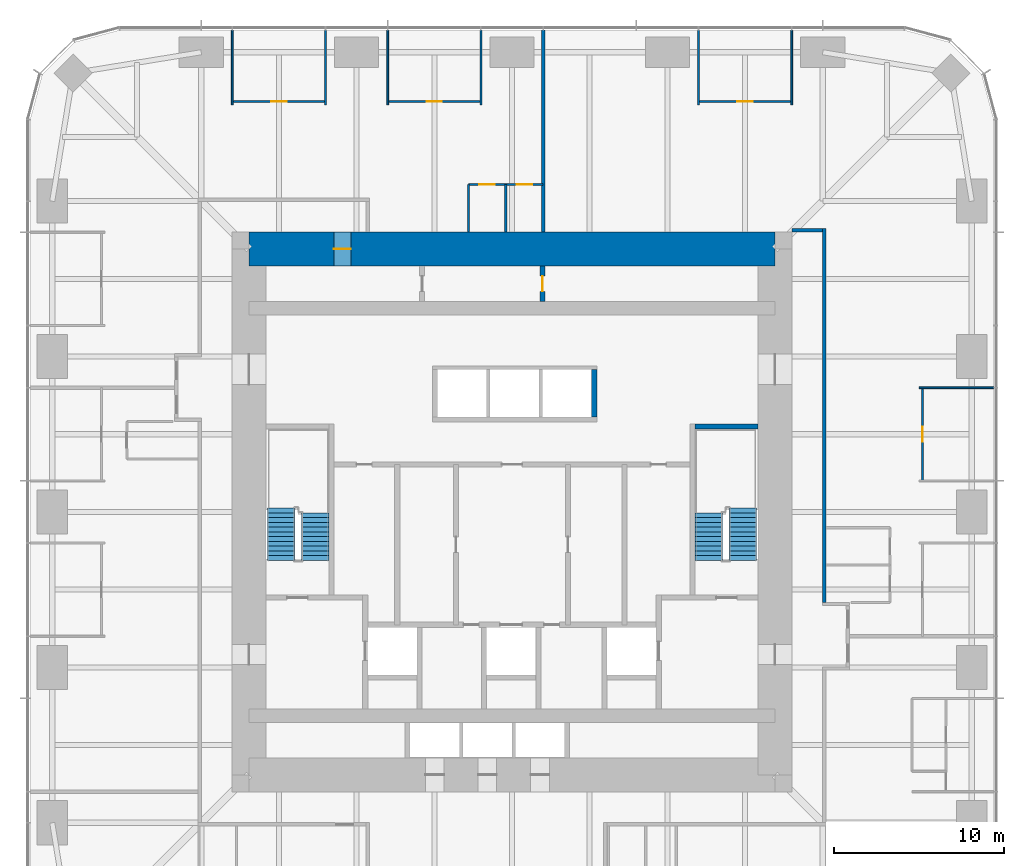
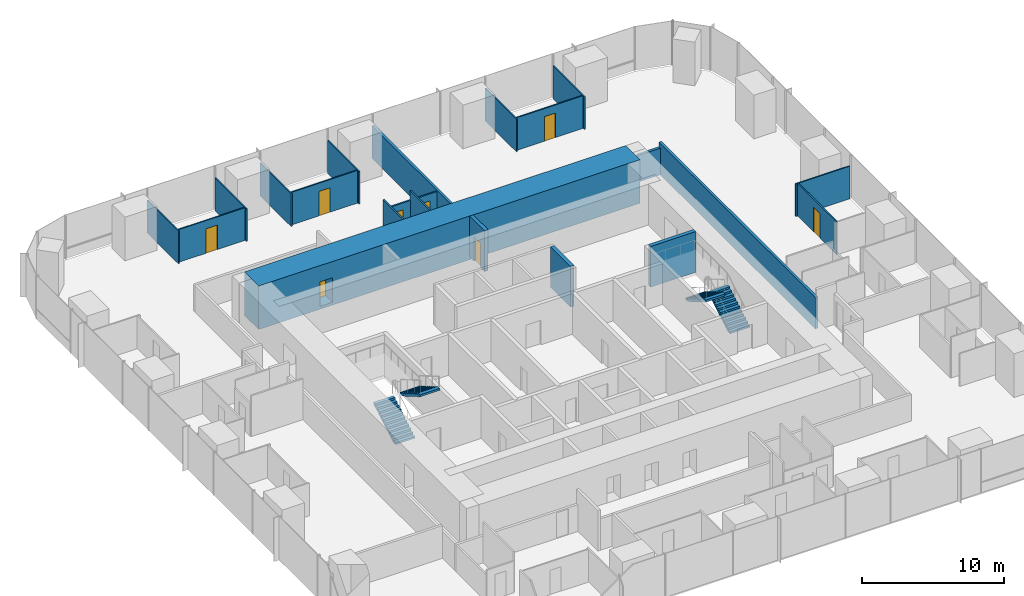
# One storey, part 11 of 12: 21 walls, 8 doors, 4 stair flights, 8 openings, 2 elements without a shape of their own.
"""IFC4 building model written with IfcOpenShell, lengths in metres."""

from ifc_helpers import new_model, si_unit, direction, frame, frame_2d, origin, place, context, subcontext, project, spatial, polyline, rectangle, outline, extrude, material, layer, layer_set, type_object, element, fill, aggregate, save


model = new_model("IFC4")

# Units and contexts
model_context = context("Model", 3, precision=1e-05, world=origin(), true_north=direction((0.0, 1.0)))
body_context = subcontext(model_context, "Body", "Model", "MODEL_VIEW")
ifc_project = project(units=[si_unit("LENGTHUNIT", "METRE"), si_unit("AREAUNIT", "SQUARE_METRE"), si_unit("VOLUMEUNIT", "CUBIC_METRE"), si_unit("PLANEANGLEUNIT", "RADIAN"), si_unit("MASSUNIT", "GRAM", prefix="KILO")], contexts=[model_context])

# Site, building, storey
site_placement = place(None, origin())
site = spatial("IfcSite", under=ifc_project, at=site_placement, CompositionType="ELEMENT")
building_placement = place(site_placement, origin())
building = spatial("IfcBuilding", under=site, at=building_placement, Name="Khuree Lantern Residences", CompositionType="ELEMENT")
storey_placement = place(building_placement, frame((0.0, 0.0, 167.25)))
storey = spatial("IfcBuildingStorey", under=building, at=storey_placement, Name="L42", CompositionType="ELEMENT", Elevation=167.25)

# Wall, openings, doors
ifc_material_1 = material(Name="Moisture-resistant gypsum board on steel studs", Category="steel")
ifc_layer_1 = layer(ifc_material_1, 0.125)
ifc_layer_set_1 = layer_set([ifc_layer_1], Name="BATHROOM WALL BTW125")
wall_type_1 = type_object("IfcWallType", Name="BATHROOM WALL BTW125", PredefinedType="PARTITIONING", material=ifc_layer_set_1)
wall_1_placement = place(storey_placement, frame((1.83203125, 19.300048828125, 0.0), z_axis=(0.0, 0.0, 1.0), x_axis=(-1.0, 0.0, 0.0)))
wall_1 = element("IfcWall", 1, at=wall_1_placement, inside=storey, type_object=wall_type_1, Name="L42 BATHROOM WALL 02", PredefinedType="PARTITIONING", context=body_context, shape_type="SweptSolid", body=[
    extrude(rectangle(XDim=4.400146484375, YDim=0.125, at=frame_2d((2.2001953125, 0.0))), origin(), (0.0, 0.0, 1.0), 2.699951171875),
])
opening_1_placement = place(wall_1_placement, frame((0.64990234375, 0.0, 0.0)))
opening_1 = element("IfcOpeningElement", 2, at=opening_1_placement, cuts=wall_1, Name="Opening 42-032", PredefinedType="OPENING", context=body_context, shape_type="SweptSolid", body=[
    extrude(rectangle(XDim=0.89990234375, YDim=2.10009765625, at=frame_2d((0.449951171875, 1.050048828125))), frame((0.0, 0.072509765625, 0.0), z_axis=(0.0, -1.0, 0.0), x_axis=(1.0, 0.0, 0.0)), (0.0, 0.0, 1.0), 0.14501953125),
])
opening_2_placement = place(wall_1_placement, frame((2.85009765625, 0.0, 0.0)))
opening_2 = element("IfcOpeningElement", 3, at=opening_2_placement, cuts=wall_1, Name="Opening 42-033", PredefinedType="OPENING", context=body_context, shape_type="SweptSolid", body=[
    extrude(rectangle(XDim=0.89990234375, YDim=2.10009765625, at=frame_2d((0.449951171875, 1.050048828125))), frame((0.0, 0.072509765625, 0.0), z_axis=(0.0, -1.0, 0.0), x_axis=(1.0, 0.0, 0.0)), (0.0, 0.0, 1.0), 0.14501953125),
])
ifc_material_2 = material(Name="Timber door leaf in hardwood frame", Category="wood")
door_type_1 = type_object("IfcDoorType", Name="BATHROOM DOOR 900X2100", OperationType="SINGLE_SWING_LEFT", PredefinedType="DOOR", material=ifc_material_2)
door_1_placement = place(opening_1_placement, origin())
door_1 = element("IfcDoor", 4, at=door_1_placement, inside=storey, type_object=door_type_1, Name="Bathroom door 42-032", OperationType="SINGLE_SWING_LEFT", OverallHeight=2.10009765625, OverallWidth=0.89990234375, PredefinedType="DOOR", context=body_context, shape_type="SweptSolid", body=[
    extrude(rectangle(XDim=0.89990234375, YDim=2.10009765625, at=frame_2d((0.449951171875, 1.050048828125))), frame((0.0, 0.02490234375, 0.0), z_axis=(0.0, -1.0, 0.0), x_axis=(1.0, 0.0, 0.0)), (0.0, 0.0, 1.0), 0.050048828125),
])
fill(opening_1, door_1)
door_2_placement = place(opening_2_placement, origin())
door_2 = element("IfcDoor", 5, at=door_2_placement, inside=storey, type_object=door_type_1, Name="Bathroom door 42-033", OperationType="SINGLE_SWING_LEFT", OverallHeight=2.10009765625, OverallWidth=0.89990234375, PredefinedType="DOOR", context=body_context, shape_type="SweptSolid", body=[
    extrude(rectangle(XDim=0.89990234375, YDim=2.10009765625, at=frame_2d((0.449951171875, 1.050048828125))), frame((0.0, 0.02490234375, 0.0), z_axis=(0.0, -1.0, 0.0), x_axis=(1.0, 0.0, 0.0)), (0.0, 0.0, 1.0), 0.050048828125),
])
fill(opening_2, door_2)

# Walls
for number, where, z_axis, x_axis, name in (
    (6, (-0.367919921875, 16.5, 0.0), (0.0, 0.0, 1.0), (0.0, 1.0, 0.0), "L42 BATHROOM WALL 02"),
    (7, (-2.568115234375, 16.5, 0.0), (0.0, 0.0, 1.0), (0.0, 1.0, 0.0), "L42 BATHROOM WALL 02"),
):
    element("IfcWall", number, at=place(storey_placement, frame(where, z_axis=z_axis, x_axis=x_axis)), inside=storey, type_object=wall_type_1, Name=name, PredefinedType="PARTITIONING", context=body_context, shape_type="SweptSolid", body=[
        extrude(rectangle(XDim=2.800048828125, YDim=0.125, at=frame_2d((1.39990234375, 0.0))), origin(), (0.0, 0.0, 1.0), 3.5),
    ])
ifc_material_3 = material(Name="Dense concrete blockwork", Category="masonry")
ifc_layer_2 = layer(ifc_material_3, 0.300048828125)
ifc_layer_set_2 = layer_set([ifc_layer_2], Name="CORE PARTITION WALL CPW300 EI 120")
wall_type_2 = type_object("IfcWallType", Name="CORE PARTITION WALL CPW300 EI 120", PredefinedType="PARTITIONING", material=ifc_layer_set_2)
wall_2_placement = place(storey_placement, frame((4.85009765625, 5.60009765625, 0.0), z_axis=(0.0, 0.0, 1.0), x_axis=(0.0, 1.0, 0.0)))
element("IfcWall", 8, at=wall_2_placement, inside=storey, type_object=wall_type_2, Name="L42 CORE WALL PHE", PredefinedType="PARTITIONING", context=body_context, shape_type="SweptSolid", body=[
    extrude(rectangle(XDim=2.7998046875, YDim=0.300048828125, at=frame_2d((1.39990234375, 0.0))), origin(), (0.0, 0.0, 1.0), 3.5),
])

# Wall, opening, door
wall_3_placement = place(storey_placement, frame((1.800048828125, 12.39990234375, 0.0), z_axis=(0.0, 0.0, 1.0), x_axis=(0.0, 1.0, 0.0)))
wall_3 = element("IfcWall", 9, at=wall_3_placement, inside=storey, type_object=wall_type_2, Name="L42 CORE WALL PLY", PredefinedType="PARTITIONING", context=body_context, shape_type="SweptSolid", body=[
    extrude(rectangle(XDim=2.10009765625, YDim=0.300048828125, at=frame_2d((1.050048828125, 0.0))), origin(), (0.0, 0.0, 1.0), 3.5),
])
opening_3_placement = place(wall_3_placement, frame((0.60009765625, 0.0, 0.0)))
opening_3 = element("IfcOpeningElement", 10, at=opening_3_placement, cuts=wall_3, Name="Opening 42-021", PredefinedType="OPENING", context=body_context, shape_type="SweptSolid", body=[
    extrude(rectangle(XDim=0.89990234375, YDim=2.10009765625, at=frame_2d((0.449951171875, 1.050048828125))), frame((0.0, 0.16015625, 0.0), z_axis=(0.0, -1.0, 0.0), x_axis=(1.0, 0.0, 0.0)), (0.0, 0.0, 1.0), 0.320068359375),
])
door_type_2 = type_object("IfcDoorType", Name="DOOR 900X2100", OperationType="SINGLE_SWING_LEFT", PredefinedType="DOOR", material=ifc_material_2)
door_3_placement = place(opening_3_placement, origin())
door_3 = element("IfcDoor", 11, at=door_3_placement, inside=storey, type_object=door_type_2, Name="Maintenance store door 42-021", OperationType="SINGLE_SWING_LEFT", OverallHeight=2.10009765625, OverallWidth=0.89990234375, PredefinedType="DOOR", context=body_context, shape_type="SweptSolid", body=[
    extrude(rectangle(XDim=0.89990234375, YDim=2.10009765625, at=frame_2d((0.449951171875, 1.050048828125))), frame((0.0, 0.02490234375, 0.0), z_axis=(0.0, -1.0, 0.0), x_axis=(1.0, 0.0, 0.0)), (0.0, 0.0, 1.0), 0.050048828125),
])
fill(opening_3, door_3)

# Walls
ifc_material_4 = material(Name="Gypsum board on steel studs", Category="steel")
ifc_layer_3 = layer(ifc_material_4, 0.199951171875)
ifc_layer_set_3 = layer_set([ifc_layer_3], Name="CORRIDOR WALL CRW200 EI 60")
wall_type_3 = type_object("IfcWallType", Name="CORRIDOR WALL CRW200 EI 60", PredefinedType="PARTITIONING", material=ifc_layer_set_3)
wall_4_placement = place(storey_placement, frame((16.5, 16.60009765625, 0.0), z_axis=(0.0, 0.0, 1.0), x_axis=(1.0, 0.0, 0.0)))
element("IfcWall", 12, at=wall_4_placement, inside=storey, type_object=wall_type_3, Name="L42 EAST CORRIDOR NORTH END WALL", PredefinedType="PARTITIONING", context=body_context, shape_type="SweptSolid", body=[
    extrude(rectangle(XDim=1.800048828125, YDim=0.199951171875, at=frame_2d((0.89990234375, 0.0))), origin(), (0.0, 0.0, 1.0), 2.300048828125),
])
wall_5_placement = place(storey_placement, frame((18.39990234375, -5.327880859375, 0.0), z_axis=(0.0, 0.0, 1.0), x_axis=(0.0, 1.0, 0.0)))
element("IfcWall", 13, at=wall_5_placement, inside=storey, type_object=wall_type_3, Name="L42 CORRIDOR WALL EAST 2", PredefinedType="PARTITIONING", context=body_context, shape_type="SweptSolid", body=[
    extrude(rectangle(XDim=22.02783203125, YDim=0.199951171875, at=frame_2d((11.013916015625, 0.0))), origin(), (0.0, 0.0, 1.0), 2.699951171875),
])

# Wall, opening, door
ifc_material_5 = material(Name="Concrete C70/85", Category="concrete")
ifc_layer_4 = layer(ifc_material_5, 2.0)
ifc_layer_set_4 = layer_set([ifc_layer_4], Name="CW2000-C70 CORE WALL C70 2000")
wall_type_4 = type_object("IfcWallType", Name="CW2000-C70 CORE WALL C70 2000", PredefinedType="SHEAR", material=ifc_layer_set_4)
wall_6_placement = place(storey_placement, frame((-15.5, 15.5, -0.25), z_axis=(0.0, 0.0, 1.0), x_axis=(1.0, 0.0, 0.0)))
wall_6 = element("IfcWall", 14, at=wall_6_placement, inside=storey, type_object=wall_type_4, Name="Core wall N", PredefinedType="SHEAR", context=body_context, shape_type="SweptSolid", body=[
    extrude(rectangle(XDim=31.0, YDim=2.0, at=frame_2d((15.5, 0.0))), origin(), (0.0, 0.0, 1.0), 3.75),
])
opening_4_placement = place(wall_6_placement, frame((5.0, 0.0, 0.25)))
opening_4 = element("IfcOpeningElement", 15, at=opening_4_placement, cuts=wall_6, Name="Opening 42-022", PredefinedType="OPENING", context=body_context, shape_type="SweptSolid", body=[
    extrude(rectangle(XDim=1.0, YDim=2.10009765625, at=frame_2d((0.5, 1.050048828125))), frame((0.0, 1.010009765625, 0.0), z_axis=(0.0, -1.0, 0.0), x_axis=(1.0, 0.0, 0.0)), (0.0, 0.0, 1.0), 2.02001953125),
])
ifc_material_6 = material(Name="Steel door leaf in steel frame", Category="steel")
door_type_3 = type_object("IfcDoorType", Name="DOOR 1000X2100 EI 60 RIGHT HAND", OperationType="SINGLE_SWING_RIGHT", PredefinedType="DOOR", material=ifc_material_6)
door_4_placement = place(opening_4_placement, origin())
door_4 = element("IfcDoor", 16, at=door_4_placement, inside=storey, type_object=door_type_3, Name="Residents' store door 42-022", OperationType="SINGLE_SWING_RIGHT", OverallHeight=2.10009765625, OverallWidth=1.0, PredefinedType="DOOR", context=body_context, shape_type="SweptSolid", body=[
    extrude(rectangle(XDim=1.0, YDim=2.10009765625, at=frame_2d((0.5, 1.050048828125))), frame((0.0, 0.02490234375, 0.0), z_axis=(0.0, -1.0, 0.0), x_axis=(1.0, 0.0, 0.0)), (0.0, 0.0, 1.0), 0.050048828125),
])
fill(opening_4, door_4)

# Walls
ifc_layer_5 = layer(ifc_material_4, 0.199951171875)
ifc_layer_set_5 = layer_set([ifc_layer_5], Name="DEMISING WALL DMW200 EI 90")
wall_type_5 = type_object("IfcWallType", Name="DEMISING WALL DMW200 EI 90", PredefinedType="PARTITIONING", material=ifc_layer_set_5)
wall_7_placement = place(storey_placement, frame((1.83203125, 16.5, 0.0), z_axis=(0.0, 0.0, 1.0), x_axis=(0.0, 1.0, 0.0)))
element("IfcWall", 17, at=wall_7_placement, inside=storey, type_object=wall_type_5, Name="L42 DEMISING WALL 02", PredefinedType="PARTITIONING", context=body_context, shape_type="SweptSolid", body=[
    extrude(rectangle(XDim=11.89990234375, YDim=0.199951171875, at=frame_2d((5.949951171875, 0.0))), origin(), (0.0, 0.0, 1.0), 2.81005859375),
])
ifc_layer_6 = layer(ifc_material_4, 0.10009765625)
ifc_layer_set_6 = layer_set([ifc_layer_6], Name="PARTITION PT100")
wall_type_6 = type_object("IfcWallType", Name="PARTITION PT100", PredefinedType="PARTITIONING", material=ifc_layer_set_6)
for number, where, z_axis, x_axis, name in (
    (18, (24.0, 7.327880859375, 0.0), (0.0, 0.0, 1.0), (1.0, 0.0, 0.0), "L42 PARTITION 01"),
    (19, (16.488037109375, 24.0, 0.0), (0.0, 0.0, 1.0), (0.0, 1.0, 0.0), "L42 PARTITION 01"),
    (20, (10.991943359375, 24.0, 0.0), (0.0, 0.0, 1.0), (0.0, 1.0, 0.0), "L42 PARTITION 01"),
    (21, (-1.83203125, 24.0, 0.0), (0.0, 0.0, 1.0), (0.0, 1.0, 0.0), "L42 PARTITION 02"),
    (22, (-7.327880859375, 24.0, 0.0), (0.0, 0.0, 1.0), (0.0, 1.0, 0.0), "L42 PARTITION 02"),
    (23, (-10.991943359375, 24.0, 0.0), (0.0, 0.0, 1.0), (0.0, 1.0, 0.0), "L42 PARTITION 02"),
    (24, (-16.488037109375, 24.0, 0.0), (0.0, 0.0, 1.0), (0.0, 1.0, 0.0), "L42 PARTITION 02"),
):
    element("IfcWall", number, at=place(storey_placement, frame(where, z_axis=z_axis, x_axis=x_axis)), inside=storey, type_object=wall_type_6, Name=name, PredefinedType="PARTITIONING", context=body_context, shape_type="SweptSolid", body=[
        extrude(rectangle(XDim=4.39990234375, YDim=0.10009765625, at=frame_2d((2.199951171875, 0.0))), origin(), (0.0, 0.0, 1.0), 2.81005859375),
    ])

# Wall, opening, door
wall_8_placement = place(storey_placement, frame((24.199951171875, 1.83203125, 0.0), z_axis=(0.0, 0.0, 1.0), x_axis=(0.0, 1.0, 0.0)))
wall_8 = element("IfcWall", 25, at=wall_8_placement, inside=storey, type_object=wall_type_6, Name="L42 PARTITION 01", PredefinedType="PARTITIONING", context=body_context, shape_type="SweptSolid", body=[
    extrude(rectangle(XDim=5.495849609375, YDim=0.10009765625, at=frame_2d((2.748046875, 0.0))), origin(), (0.0, 0.0, 1.0), 2.81005859375),
])
opening_5_placement = place(wall_8_placement, frame((2.298095703125, 0.0, 0.0)))
opening_5 = element("IfcOpeningElement", 26, at=opening_5_placement, cuts=wall_8, Name="Opening 42-024", PredefinedType="OPENING", context=body_context, shape_type="SweptSolid", body=[
    extrude(rectangle(XDim=0.89990234375, YDim=2.10009765625, at=frame_2d((0.449951171875, 1.050048828125))), frame((0.0, 0.06005859375, 0.0), z_axis=(0.0, -1.0, 0.0), x_axis=(1.0, 0.0, 0.0)), (0.0, 0.0, 1.0), 0.1201171875),
])
door_type_4 = type_object("IfcDoorType", Name="BEDROOM DOOR 900X2100", OperationType="SINGLE_SWING_LEFT", PredefinedType="DOOR", material=ifc_material_2)
door_5_placement = place(opening_5_placement, origin())
door_5 = element("IfcDoor", 27, at=door_5_placement, inside=storey, type_object=door_type_4, Name="Bedroom door 42-024", OperationType="SINGLE_SWING_LEFT", OverallHeight=2.10009765625, OverallWidth=0.89990234375, PredefinedType="DOOR", context=body_context, shape_type="SweptSolid", body=[
    extrude(rectangle(XDim=0.89990234375, YDim=2.10009765625, at=frame_2d((0.449951171875, 1.050048828125))), frame((0.0, 0.02490234375, 0.0), z_axis=(0.0, -1.0, 0.0), x_axis=(1.0, 0.0, 0.0)), (0.0, 0.0, 1.0), 0.050048828125),
])
fill(opening_5, door_5)

wall_9_placement = place(storey_placement, frame((16.488037109375, 24.199951171875, 0.0), z_axis=(0.0, 0.0, 1.0), x_axis=(-1.0, 0.0, 0.0)))
wall_9 = element("IfcWall", 28, at=wall_9_placement, inside=storey, type_object=wall_type_6, Name="L42 PARTITION 01", PredefinedType="PARTITIONING", context=body_context, shape_type="SweptSolid", body=[
    extrude(rectangle(XDim=5.49609375, YDim=0.10009765625, at=frame_2d((2.748046875, 0.0))), origin(), (0.0, 0.0, 1.0), 2.81005859375),
])
opening_6_placement = place(wall_9_placement, frame((2.298095703125, 0.0, 0.0)))
opening_6 = element("IfcOpeningElement", 29, at=opening_6_placement, cuts=wall_9, Name="Opening 42-025", PredefinedType="OPENING", context=body_context, shape_type="SweptSolid", body=[
    extrude(rectangle(XDim=0.89990234375, YDim=2.10009765625, at=frame_2d((0.449951171875, 1.050048828125))), frame((0.0, 0.06005859375, 0.0), z_axis=(0.0, -1.0, 0.0), x_axis=(1.0, 0.0, 0.0)), (0.0, 0.0, 1.0), 0.1201171875),
])
door_6_placement = place(opening_6_placement, origin())
door_6 = element("IfcDoor", 30, at=door_6_placement, inside=storey, type_object=door_type_4, Name="Bedroom door 42-025", OperationType="SINGLE_SWING_LEFT", OverallHeight=2.10009765625, OverallWidth=0.89990234375, PredefinedType="DOOR", context=body_context, shape_type="SweptSolid", body=[
    extrude(rectangle(XDim=0.89990234375, YDim=2.10009765625, at=frame_2d((0.449951171875, 1.050048828125))), frame((0.0, 0.02490234375, 0.0), z_axis=(0.0, -1.0, 0.0), x_axis=(1.0, 0.0, 0.0)), (0.0, 0.0, 1.0), 0.050048828125),
])
fill(opening_6, door_6)

wall_10_placement = place(storey_placement, frame((-1.83203125, 24.199951171875, 0.0), z_axis=(0.0, 0.0, 1.0), x_axis=(-1.0, 0.0, 0.0)))
wall_10 = element("IfcWall", 31, at=wall_10_placement, inside=storey, type_object=wall_type_6, Name="L42 PARTITION 02", PredefinedType="PARTITIONING", context=body_context, shape_type="SweptSolid", body=[
    extrude(rectangle(XDim=5.495849609375, YDim=0.10009765625, at=frame_2d((2.748046875, 0.0))), origin(), (0.0, 0.0, 1.0), 2.81005859375),
])
opening_7_placement = place(wall_10_placement, frame((2.298095703125, 0.0, 0.0)))
opening_7 = element("IfcOpeningElement", 32, at=opening_7_placement, cuts=wall_10, Name="Opening 42-029", PredefinedType="OPENING", context=body_context, shape_type="SweptSolid", body=[
    extrude(rectangle(XDim=0.89990234375, YDim=2.10009765625, at=frame_2d((0.449951171875, 1.050048828125))), frame((0.0, 0.06005859375, 0.0), z_axis=(0.0, -1.0, 0.0), x_axis=(1.0, 0.0, 0.0)), (0.0, 0.0, 1.0), 0.1201171875),
])
door_7_placement = place(opening_7_placement, origin())
door_7 = element("IfcDoor", 33, at=door_7_placement, inside=storey, type_object=door_type_4, Name="Bedroom door 42-029", OperationType="SINGLE_SWING_LEFT", OverallHeight=2.10009765625, OverallWidth=0.89990234375, PredefinedType="DOOR", context=body_context, shape_type="SweptSolid", body=[
    extrude(rectangle(XDim=0.89990234375, YDim=2.10009765625, at=frame_2d((0.449951171875, 1.050048828125))), frame((0.0, 0.02490234375, 0.0), z_axis=(0.0, -1.0, 0.0), x_axis=(1.0, 0.0, 0.0)), (0.0, 0.0, 1.0), 0.050048828125),
])
fill(opening_7, door_7)

wall_11_placement = place(storey_placement, frame((-10.991943359375, 24.199951171875, 0.0), z_axis=(0.0, 0.0, 1.0), x_axis=(-1.0, 0.0, 0.0)))
wall_11 = element("IfcWall", 34, at=wall_11_placement, inside=storey, type_object=wall_type_6, Name="L42 PARTITION 02", PredefinedType="PARTITIONING", context=body_context, shape_type="SweptSolid", body=[
    extrude(rectangle(XDim=5.49609375, YDim=0.10009765625, at=frame_2d((2.748046875, 0.0))), origin(), (0.0, 0.0, 1.0), 2.81005859375),
])
opening_8_placement = place(wall_11_placement, frame((2.298095703125, 0.0, 0.0)))
opening_8 = element("IfcOpeningElement", 35, at=opening_8_placement, cuts=wall_11, Name="Opening 42-030", PredefinedType="OPENING", context=body_context, shape_type="SweptSolid", body=[
    extrude(rectangle(XDim=0.89990234375, YDim=2.10009765625, at=frame_2d((0.449951171875, 1.050048828125))), frame((0.0, 0.06005859375, 0.0), z_axis=(0.0, -1.0, 0.0), x_axis=(1.0, 0.0, 0.0)), (0.0, 0.0, 1.0), 0.1201171875),
])
door_8_placement = place(opening_8_placement, origin())
door_8 = element("IfcDoor", 36, at=door_8_placement, inside=storey, type_object=door_type_4, Name="Bedroom door 42-030", OperationType="SINGLE_SWING_LEFT", OverallHeight=2.10009765625, OverallWidth=0.89990234375, PredefinedType="DOOR", context=body_context, shape_type="SweptSolid", body=[
    extrude(rectangle(XDim=0.89990234375, YDim=2.10009765625, at=frame_2d((0.449951171875, 1.050048828125))), frame((0.0, 0.02490234375, 0.0), z_axis=(0.0, -1.0, 0.0), x_axis=(1.0, 0.0, 0.0)), (0.0, 0.0, 1.0), 0.050048828125),
])
fill(opening_8, door_8)

# Wall
ifc_material_7 = material(Name="Concrete C50/60", Category="concrete")
ifc_layer_7 = layer(ifc_material_7, 0.300048828125)
ifc_layer_set_7 = layer_set([ifc_layer_7], Name="STAIR WALL SRW300 C50/60 REI 240")
wall_type_7 = type_object("IfcWallType", Name="STAIR WALL SRW300 C50/60 REI 240", PredefinedType="SOLIDWALL", material=ifc_layer_set_7)
wall_12_placement = place(storey_placement, frame((14.5, 5.050048828125, 0.0), z_axis=(0.0, 0.0, 1.0), x_axis=(-1.0, 0.0, 0.0)))
element("IfcWall", 37, at=wall_12_placement, inside=storey, type_object=wall_type_7, Name="L42 STAIR WALL ST2N", PredefinedType="SOLIDWALL", context=body_context, shape_type="SweptSolid", body=[
    extrude(rectangle(XDim=3.699951171875, YDim=0.300048828125, at=frame_2d((1.85009765625, 0.0))), origin(), (0.0, 0.0, 1.0), 3.5),
])

# Stair, stair flights
ifc_material_8 = material(Name="Concrete C40/50", Category="concrete")
stair_type = type_object("IfcStairType", Name="STAIR ST1 HALF TURN 3600", PredefinedType="HALF_TURN_STAIR", material=ifc_material_8)
stair_1_placement = place(storey_placement, origin())
stair_1 = element("IfcStair", 38, at=stair_1_placement, inside=storey, type_object=stair_type, Name="Stair ST1", PredefinedType="HALF_TURN_STAIR")
stair_flight_type = type_object("IfcStairFlightType", Name="STAIR FLIGHT SF1 1600", PredefinedType="STRAIGHT", material=ifc_material_8)
stair_flight_1_placement = place(storey_placement, frame((-13.60009765625, -2.860107421875, 0.0), z_axis=(0.0, 0.0, 1.0), x_axis=(0.0, 1.0, 0.0)))
stair_flight_1 = element("IfcStairFlight", 39, at=stair_flight_1_placement, type_object=stair_flight_type, Name="ST1 flight 1", NumberOfRisers=12, NumberOfTreads=11, PredefinedType="STRAIGHT", RiserHeight=0.163043478, TreadLength=0.28, context=body_context, shape_type="SweptSolid", body=[
    extrude(outline(polyline([(0.0, 0.0), (0.0, 0.1630859375), (0.280029296875, 0.1630859375), (0.280029296875, 0.326171875), (0.56005859375, 0.326171875), (0.56005859375, 0.489013671875), (0.840087890625, 0.489013671875), (0.840087890625, 0.652099609375), (1.1201171875, 0.652099609375), (1.1201171875, 0.815185546875), (1.39990234375, 0.815185546875), (1.39990234375, 0.978271484375), (1.679931640625, 0.978271484375), (1.679931640625, 1.141357421875), (1.9599609375, 1.141357421875), (1.9599609375, 1.304443359375), (2.239990234375, 1.304443359375), (2.239990234375, 1.46728515625), (2.52001953125, 1.46728515625), (2.52001953125, 1.63037109375), (2.800048828125, 1.63037109375), (2.800048828125, 1.79345703125), (3.080078125, 1.79345703125), (3.080078125, 1.95654296875), (3.080078125, 1.6201171875), (0.2978515625, 0.0), (0.0, 0.0)])), frame((0.0, 0.800048828125, 0.0), z_axis=(0.0, -1.0, 0.0), x_axis=(1.0, 0.0, 0.0)), (0.0, 0.0, 1.0), 1.60009765625),
])
stair_flight_2_placement = place(storey_placement, frame((-11.60009765625, -0.06005859375, 1.95654296875), z_axis=(0.0, 0.0, 1.0), x_axis=(0.0, -1.0, 0.0)))
stair_flight_2 = element("IfcStairFlight", 40, at=stair_flight_2_placement, type_object=stair_flight_type, Name="ST1 flight 2", NumberOfRisers=11, NumberOfTreads=10, PredefinedType="STRAIGHT", RiserHeight=0.163043478, TreadLength=0.28, context=body_context, shape_type="SweptSolid", body=[
    extrude(outline(polyline([(0.0, 0.0), (0.0, 0.1630859375), (0.280029296875, 0.1630859375), (0.280029296875, 0.326171875), (0.56005859375, 0.326171875), (0.56005859375, 0.489013671875), (0.840087890625, 0.489013671875), (0.840087890625, 0.652099609375), (1.1201171875, 0.652099609375), (1.1201171875, 0.815185546875), (1.39990234375, 0.815185546875), (1.39990234375, 0.978271484375), (1.679931640625, 0.978271484375), (1.679931640625, 1.141357421875), (1.9599609375, 1.141357421875), (1.9599609375, 1.304443359375), (2.239990234375, 1.304443359375), (2.239990234375, 1.46728515625), (2.52001953125, 1.46728515625), (2.52001953125, 1.63037109375), (2.800048828125, 1.63037109375), (2.800048828125, 1.79345703125), (2.800048828125, 1.45703125), (0.2978515625, 0.0), (0.0, 0.0)])), frame((0.0, 0.800048828125, 0.0), z_axis=(0.0, -1.0, 0.0), x_axis=(1.0, 0.0, 0.0)), (0.0, 0.0, 1.0), 1.60009765625),
])
aggregate(stair_1, [stair_flight_1, stair_flight_2])

stair_2_placement = place(storey_placement, origin())
stair_2 = element("IfcStair", 41, at=stair_2_placement, inside=storey, type_object=stair_type, Name="Stair ST2", PredefinedType="HALF_TURN_STAIR")
stair_flight_3_placement = place(storey_placement, frame((13.60009765625, -2.860107421875, 0.0), z_axis=(0.0, 0.0, 1.0), x_axis=(0.0, 1.0, 0.0)))
stair_flight_3 = element("IfcStairFlight", 42, at=stair_flight_3_placement, type_object=stair_flight_type, Name="ST2 flight 1", NumberOfRisers=12, NumberOfTreads=11, PredefinedType="STRAIGHT", RiserHeight=0.163043478, TreadLength=0.28, context=body_context, shape_type="SweptSolid", body=[
    extrude(outline(polyline([(0.0, 0.0), (0.0, 0.1630859375), (0.280029296875, 0.1630859375), (0.280029296875, 0.326171875), (0.56005859375, 0.326171875), (0.56005859375, 0.489013671875), (0.840087890625, 0.489013671875), (0.840087890625, 0.652099609375), (1.1201171875, 0.652099609375), (1.1201171875, 0.815185546875), (1.39990234375, 0.815185546875), (1.39990234375, 0.978271484375), (1.679931640625, 0.978271484375), (1.679931640625, 1.141357421875), (1.9599609375, 1.141357421875), (1.9599609375, 1.304443359375), (2.239990234375, 1.304443359375), (2.239990234375, 1.46728515625), (2.52001953125, 1.46728515625), (2.52001953125, 1.63037109375), (2.800048828125, 1.63037109375), (2.800048828125, 1.79345703125), (3.080078125, 1.79345703125), (3.080078125, 1.95654296875), (3.080078125, 1.6201171875), (0.2978515625, 0.0), (0.0, 0.0)])), frame((0.0, 0.800048828125, 0.0), z_axis=(0.0, -1.0, 0.0), x_axis=(1.0, 0.0, 0.0)), (0.0, 0.0, 1.0), 1.60009765625),
])
stair_flight_4_placement = place(storey_placement, frame((11.60009765625, -0.06005859375, 1.95654296875), z_axis=(0.0, 0.0, 1.0), x_axis=(0.0, -1.0, 0.0)))
stair_flight_4 = element("IfcStairFlight", 43, at=stair_flight_4_placement, type_object=stair_flight_type, Name="ST2 flight 2", NumberOfRisers=11, NumberOfTreads=10, PredefinedType="STRAIGHT", RiserHeight=0.163043478, TreadLength=0.28, context=body_context, shape_type="SweptSolid", body=[
    extrude(outline(polyline([(0.0, 0.0), (0.0, 0.1630859375), (0.280029296875, 0.1630859375), (0.280029296875, 0.326171875), (0.56005859375, 0.326171875), (0.56005859375, 0.489013671875), (0.840087890625, 0.489013671875), (0.840087890625, 0.652099609375), (1.1201171875, 0.652099609375), (1.1201171875, 0.815185546875), (1.39990234375, 0.815185546875), (1.39990234375, 0.978271484375), (1.679931640625, 0.978271484375), (1.679931640625, 1.141357421875), (1.9599609375, 1.141357421875), (1.9599609375, 1.304443359375), (2.239990234375, 1.304443359375), (2.239990234375, 1.46728515625), (2.52001953125, 1.46728515625), (2.52001953125, 1.63037109375), (2.800048828125, 1.63037109375), (2.800048828125, 1.79345703125), (2.800048828125, 1.45703125), (0.2978515625, 0.0), (0.0, 0.0)])), frame((0.0, 0.800048828125, 0.0), z_axis=(0.0, -1.0, 0.0), x_axis=(1.0, 0.0, 0.0)), (0.0, 0.0, 1.0), 1.60009765625),
])
aggregate(stair_2, [stair_flight_3, stair_flight_4])

save(model, "model.ifc")
